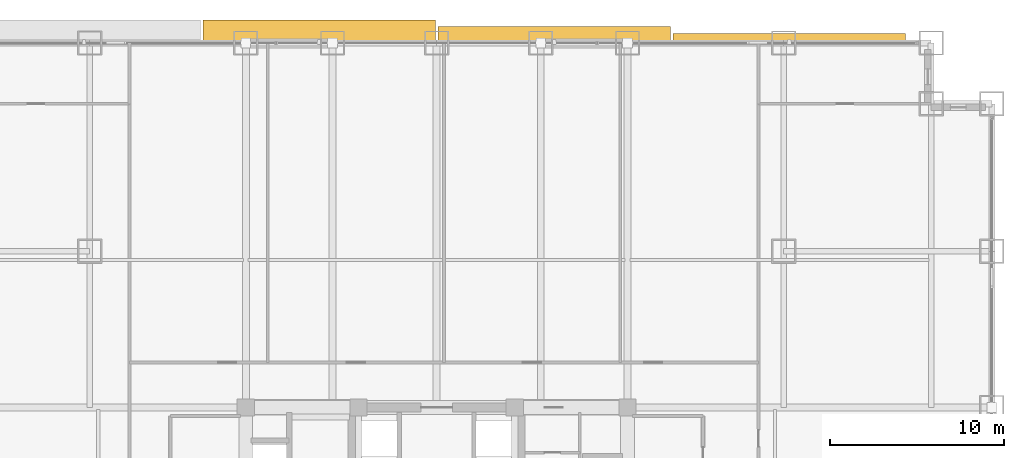
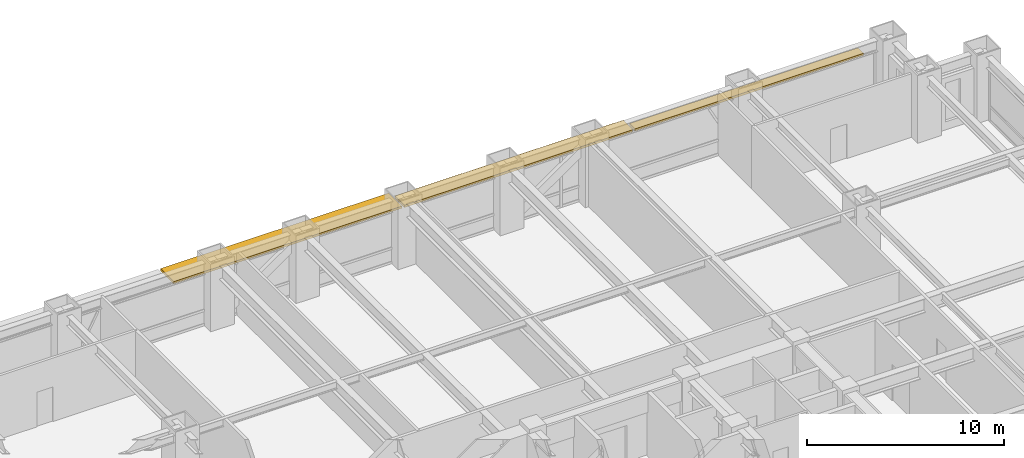
# One storey, part 31 of 31: 3 shading devices.
"""IFC4 building model written with IfcOpenShell, lengths in metres."""

from ifc_helpers import new_model, si_unit, direction, frame, origin, origin_2d, place, context, subcontext, project, spatial, rectangle, extrude, source, transform, mapped, material, layer, layer_set, type_object, element, save


model = new_model("IFC4")

# Units and contexts
model_context = context("Model", 3, precision=1e-05, world=origin(), true_north=direction((0.0, 1.0)))
body_context = subcontext(model_context, "Body", "Model", "MODEL_VIEW")
ifc_project = project(units=[si_unit("LENGTHUNIT", "METRE"), si_unit("AREAUNIT", "SQUARE_METRE"), si_unit("VOLUMEUNIT", "CUBIC_METRE"), si_unit("PLANEANGLEUNIT", "RADIAN"), si_unit("MASSUNIT", "GRAM", prefix="KILO")], contexts=[model_context])

# Site, building, storey
site_placement = place(None, origin())
site = spatial("IfcSite", under=ifc_project, at=site_placement, CompositionType="ELEMENT")
building_placement = place(site_placement, origin())
building = spatial("IfcBuilding", under=site, at=building_placement, Name="Khorayat Bourse Tower", CompositionType="ELEMENT")
storey_placement = place(building_placement, frame((0.0, 0.0, 36.800048828125)))
storey = spatial("IfcBuildingStorey", under=building, at=storey_placement, Name="L07", CompositionType="ELEMENT", Elevation=36.800048828125)

# Shading devices
ifc_material = material(Name="Precast concrete C45/55", Category="concrete")
ifc_layer = layer(ifc_material, 0.139892578125)
ifc_layer_set = layer_set([ifc_layer], Name="Precast concrete C45/55")
shading_device_type = type_object("IfcShadingDeviceType", Name="SHD-WAVE-TRAY-B", PredefinedType="USERDEFINED", material=ifc_layer_set)
shared_shape_1 = source(origin(), body_context, "Body", "SweptSolid", [
    extrude(rectangle(XDim=13.409912109375, YDim=1.341796875, at=origin_2d()), origin(), (0.0, 0.0, 1.0), 0.139892578125),
])
shading_device_1_placement = place(storey_placement, frame((-6.77490234375, 32.65087890625, 3.18994140625), z_axis=(0.0, 0.0, 1.0), x_axis=(1.0, 0.0, 0.0)))
element("IfcShadingDevice", 1, at=shading_device_1_placement, inside=storey, type_object=shading_device_type, Name="L07 Sinusoidal Wave Sunshade Tray N-2", ObjectType="SUNSHADE", PredefinedType="USERDEFINED", context=body_context, shape_type="MappedRepresentation", body=[
    mapped(shared_shape_1, transform((0.0, 0.0, 0.0), scale=1.0)),
])
shared_shape_2 = source(origin(), body_context, "Body", "SweptSolid", [
    extrude(rectangle(XDim=13.409912109375, YDim=0.976318359375, at=origin_2d()), origin(), (0.0, 0.0, 1.0), 0.139892578125),
])
shading_device_2_placement = place(storey_placement, frame((6.77490234375, 32.468017578125, 3.18994140625), z_axis=(0.0, 0.0, 1.0), x_axis=(1.0, 0.0, 0.0)))
element("IfcShadingDevice", 2, at=shading_device_2_placement, inside=storey, type_object=shading_device_type, Name="L07 Sinusoidal Wave Sunshade Tray N-3", ObjectType="SUNSHADE", PredefinedType="USERDEFINED", context=body_context, shape_type="MappedRepresentation", body=[
    mapped(shared_shape_2, transform((0.0, 0.0, 0.0), scale=1.0)),
])
shared_shape_3 = source(origin(), body_context, "Body", "SweptSolid", [
    extrude(rectangle(XDim=13.409912109375, YDim=0.56689453125, at=origin_2d()), origin(), (0.0, 0.0, 1.0), 0.139892578125),
])
shading_device_3_placement = place(storey_placement, frame((20.324951171875, 32.263427734375, 3.18994140625), z_axis=(0.0, 0.0, 1.0), x_axis=(1.0, 0.0, 0.0)))
element("IfcShadingDevice", 3, at=shading_device_3_placement, inside=storey, type_object=shading_device_type, Name="L07 Sinusoidal Wave Sunshade Tray N-4", ObjectType="SUNSHADE", PredefinedType="USERDEFINED", context=body_context, shape_type="MappedRepresentation", body=[
    mapped(shared_shape_3, transform((0.0, 0.0, 0.0), scale=1.0)),
])

save(model, "model.ifc")
